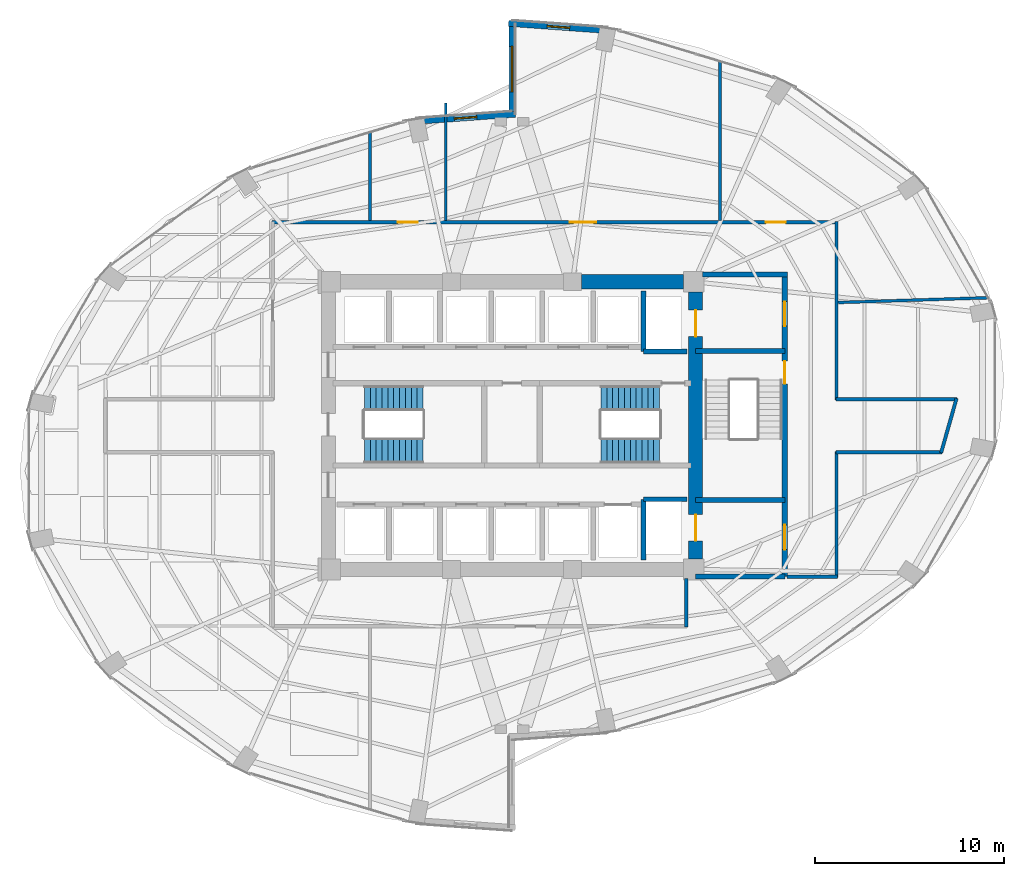
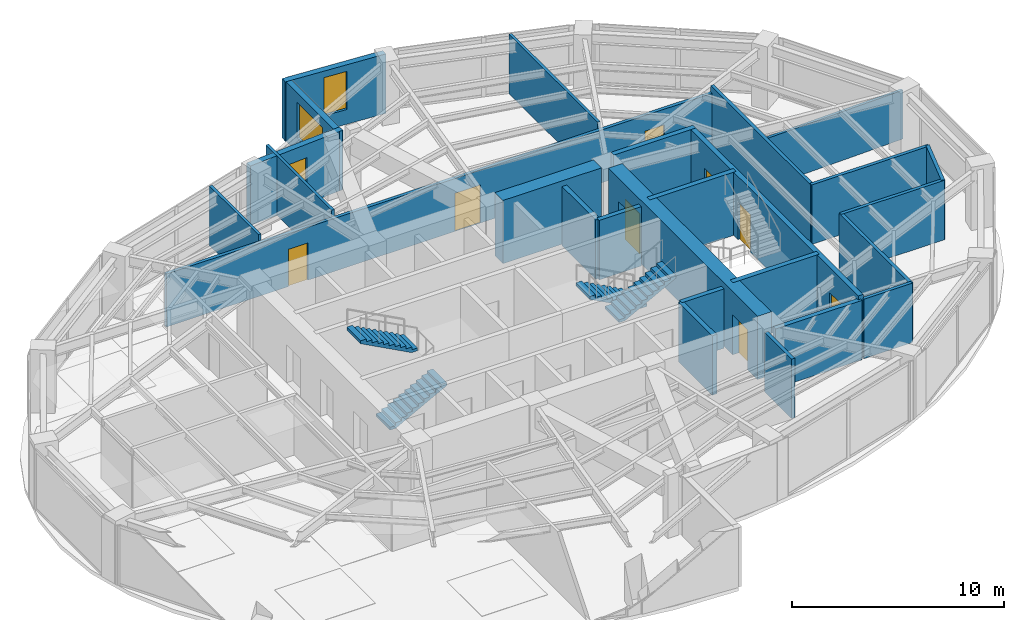
# One storey, part 20 of 23: 26 walls, 8 doors, 4 stair flights, 3 windows, 11 openings, 2 elements without a shape of their own.
"""IFC4 building model written with IfcOpenShell, lengths in metres."""

from ifc_helpers import new_model, si_unit, direction, frame, frame_2d, origin, place, context, subcontext, project, spatial, polyline, rectangle, outline, extrude, material, layer, layer_set, type_object, element, fill, aggregate, save


model = new_model("IFC4")

# Units and contexts
model_context = context("Model", 3, precision=1e-05, world=origin(), true_north=direction((0.0, 1.0)))
body_context = subcontext(model_context, "Body", "Model", "MODEL_VIEW")
ifc_project = project(units=[si_unit("LENGTHUNIT", "METRE"), si_unit("AREAUNIT", "SQUARE_METRE"), si_unit("VOLUMEUNIT", "CUBIC_METRE"), si_unit("PLANEANGLEUNIT", "RADIAN"), si_unit("MASSUNIT", "GRAM", prefix="KILO")], contexts=[model_context])

# Site, building, storey
site_placement = place(None, origin())
site = spatial("IfcSite", under=ifc_project, at=site_placement, CompositionType="ELEMENT")
building_placement = place(site_placement, origin())
building = spatial("IfcBuilding", under=site, at=building_placement, Name="Lazwardi Medical Tower", CompositionType="ELEMENT")
storey_placement = place(building_placement, frame((0.0, 0.0, 121.8720703125)))
storey = spatial("IfcBuildingStorey", under=building, at=storey_placement, Name="L31", CompositionType="ELEMENT", Elevation=121.8720703125)

# Wall, openings, doors
ifc_material_1 = material(Name="Fire-rated gypsum board on steel stud", Category="steel")
ifc_layer_1 = layer(ifc_material_1, 0.179931640625)
ifc_layer_set_1 = layer_set([ifc_layer_1], Name="Fire-rated gypsum board on steel stud")
wall_type_1 = type_object("IfcWallType", Name="WL-COR-180", PredefinedType="PARTITIONING", material=ifc_layer_set_1)
wall_1_placement = place(storey_placement, frame((23.31005859375, 38.75, 0.0), z_axis=(0.0, 0.0, 1.0), x_axis=(1.0, 0.0, 0.0)))
wall_1 = element("IfcWall", 1, at=wall_1_placement, inside=storey, type_object=wall_type_1, Name="L31 Corridor partition 4", PredefinedType="PARTITIONING", context=body_context, shape_type="SweptSolid", body=[
    extrude(rectangle(XDim=29.8798828125, YDim=0.179931640625, at=frame_2d((14.93994140625, 0.0))), origin(), (0.0, 0.0, 1.0), 3.052978515625),
])
opening_1_placement = place(wall_1_placement, frame((26.10107421875, 0.0, 0.0)))
opening_1 = element("IfcOpeningElement", 2, at=opening_1_placement, cuts=wall_1, Name="Opening D-L31-008", PredefinedType="OPENING", context=body_context, shape_type="SweptSolid", body=[
    extrude(rectangle(XDim=1.050048828125, YDim=2.14990234375, at=frame_2d((0.52490234375, 1.074951171875))), frame((0.0, 0.099853515625, 0.0), z_axis=(0.0, -1.0, 0.0), x_axis=(1.0, 0.0, 0.0)), (0.0, 0.0, 1.0), 0.199951171875),
])
opening_2_placement = place(wall_1_placement, frame((15.739990234375, 0.0, 0.0)))
opening_2 = element("IfcOpeningElement", 3, at=opening_2_placement, cuts=wall_1, Name="Opening D-L31-009", PredefinedType="OPENING", context=body_context, shape_type="SweptSolid", body=[
    extrude(rectangle(XDim=1.39990234375, YDim=2.199951171875, at=frame_2d((0.699951171875, 1.10009765625))), frame((0.0, 0.099853515625, 0.0), z_axis=(0.0, -1.0, 0.0), x_axis=(1.0, 0.0, 0.0)), (0.0, 0.0, 1.0), 0.199951171875),
])
opening_3_placement = place(wall_1_placement, frame((6.6650390625, 0.0, 0.0)))
opening_3 = element("IfcOpeningElement", 4, at=opening_3_placement, cuts=wall_1, Name="Opening D-L31-010", PredefinedType="OPENING", context=body_context, shape_type="SweptSolid", body=[
    extrude(rectangle(XDim=1.050048828125, YDim=2.14990234375, at=frame_2d((0.52490234375, 1.074951171875))), frame((0.0, 0.099853515625, 0.0), z_axis=(0.0, -1.0, 0.0), x_axis=(1.0, 0.0, 0.0)), (0.0, 0.0, 1.0), 0.199951171875),
])
ifc_material_2 = material(Name="Anti-microbial laminate hospital leaf")
door_type_1 = type_object("IfcDoorType", Name="DR-BED-1400", OperationType="NOTDEFINED", PredefinedType="DOOR", material=ifc_material_2)
door_1_placement = place(opening_2_placement, origin())
door_1 = element("IfcDoor", 5, at=door_1_placement, inside=storey, type_object=door_type_1, Name="L31 Patient Day Lounge Door 04", OperationType="SINGLE_SWING_RIGHT", OverallHeight=2.199951171875, OverallWidth=1.39990234375, PredefinedType="DOOR", context=body_context, shape_type="SweptSolid", body=[
    extrude(rectangle(XDim=1.39990234375, YDim=2.199951171875, at=frame_2d((0.699951171875, 1.10009765625))), frame((0.0, 0.02490234375, 0.0), z_axis=(0.0, -1.0, 0.0), x_axis=(1.0, 0.0, 0.0)), (0.0, 0.0, 1.0), 0.050048828125),
])
fill(opening_2, door_1)
door_type_2 = type_object("IfcDoorType", Name="DR-CLN-1050", OperationType="NOTDEFINED", PredefinedType="DOOR", material=ifc_material_2)
door_2_placement = place(opening_1_placement, origin())
door_2 = element("IfcDoor", 6, at=door_2_placement, inside=storey, type_object=door_type_2, Name="L31 Outpatient Consultation Suite Door 03", OperationType="SINGLE_SWING_LEFT", OverallHeight=2.14990234375, OverallWidth=1.050048828125, PredefinedType="DOOR", context=body_context, shape_type="SweptSolid", body=[
    extrude(rectangle(XDim=1.050048828125, YDim=2.14990234375, at=frame_2d((0.52490234375, 1.074951171875))), frame((0.0, 0.02490234375, 0.0), z_axis=(0.0, -1.0, 0.0), x_axis=(1.0, 0.0, 0.0)), (0.0, 0.0, 1.0), 0.050048828125),
])
fill(opening_1, door_2)
door_3_placement = place(opening_3_placement, origin())
door_3 = element("IfcDoor", 7, at=door_3_placement, inside=storey, type_object=door_type_2, Name="L31 Medical Duty Staff Room Door 05", OperationType="SINGLE_SWING_LEFT", OverallHeight=2.14990234375, OverallWidth=1.050048828125, PredefinedType="DOOR", context=body_context, shape_type="SweptSolid", body=[
    extrude(rectangle(XDim=1.050048828125, YDim=2.14990234375, at=frame_2d((0.52490234375, 1.074951171875))), frame((0.0, 0.02490234375, 0.0), z_axis=(0.0, -1.0, 0.0), x_axis=(1.0, 0.0, 0.0)), (0.0, 0.0, 1.0), 0.050048828125),
])
fill(opening_3, door_3)

# Walls
wall_2_placement = place(storey_placement, frame((53.14990234375, 38.7900390625, 0.0), z_axis=(0.0, 0.0, 1.0), x_axis=(0.0, -1.0, 0.0)))
element("IfcWall", 8, at=wall_2_placement, inside=storey, type_object=wall_type_1, Name="L31 Corridor partition 5", PredefinedType="PARTITIONING", context=body_context, shape_type="SweptSolid", body=[
    extrude(rectangle(XDim=9.429931640625, YDim=0.179931640625, at=frame_2d((4.71484375, 0.0))), origin(), (0.0, 0.0, 1.0), 3.427978515625),
])
wall_3_placement = place(storey_placement, frame((53.110107421875, 29.39990234375, 0.0), z_axis=(0.0, 0.0, 1.0), x_axis=(1.0, 0.0, 0.0)))
element("IfcWall", 9, at=wall_3_placement, inside=storey, type_object=wall_type_1, Name="L31 Corridor partition 6", PredefinedType="PARTITIONING", context=body_context, shape_type="SweptSolid", body=[
    extrude(rectangle(XDim=6.41259765625, YDim=0.179931640625, at=frame_2d((3.206298828125, 0.0))), origin(), (0.0, 0.0, 1.0), 3.427978515625),
])
wall_4_placement = place(storey_placement, frame((59.49365234375, 29.4384765625, 0.0), z_axis=(0.0, 0.0, 1.0), x_axis=(-0.273222154729, -0.961950962453, 0.0)))
element("IfcWall", 10, at=wall_4_placement, inside=storey, type_object=wall_type_1, Name="L31 Corridor partition 7", PredefinedType="PARTITIONING", context=body_context, shape_type="SweptSolid", body=[
    extrude(rectangle(XDim=2.99072265625, YDim=0.179931640625, at=frame_2d((1.495361328125, 0.0))), origin(), (0.0, 0.0, 1.0), 3.427978515625),
])
wall_5_placement = place(storey_placement, frame((58.727294921875, 26.60009765625, 0.0), z_axis=(0.0, 0.0, 1.0), x_axis=(-1.0, 0.0, 0.0)))
element("IfcWall", 11, at=wall_5_placement, inside=storey, type_object=wall_type_1, Name="L31 Corridor partition 8", PredefinedType="PARTITIONING", context=body_context, shape_type="SweptSolid", body=[
    extrude(rectangle(XDim=5.6171875, YDim=0.179931640625, at=frame_2d((2.80859375, 0.0))), origin(), (0.0, 0.0, 1.0), 3.427978515625),
])
wall_6_placement = place(storey_placement, frame((53.14990234375, 26.639892578125, 0.0), z_axis=(0.0, 0.0, 1.0), x_axis=(0.0, -1.0, 0.0)))
element("IfcWall", 12, at=wall_6_placement, inside=storey, type_object=wall_type_1, Name="L31 Corridor partition 9", PredefinedType="PARTITIONING", context=body_context, shape_type="SweptSolid", body=[
    extrude(rectangle(XDim=6.659912109375, YDim=0.179931640625, at=frame_2d((3.330078125, 0.0))), origin(), (0.0, 0.0, 1.0), 3.427978515625),
])
wall_7_placement = place(storey_placement, frame((53.18994140625, 20.02001953125, 0.0), z_axis=(0.0, 0.0, 1.0), x_axis=(-1.0, 0.0, 0.0)))
element("IfcWall", 13, at=wall_7_placement, inside=storey, type_object=wall_type_1, Name="L31 Corridor partition 10", PredefinedType="PARTITIONING", context=body_context, shape_type="SweptSolid", body=[
    extrude(rectangle(XDim=2.64990234375, YDim=0.179931640625, at=frame_2d((1.324951171875, 0.0))), origin(), (0.0, 0.0, 1.0), 3.427978515625),
])
wall_8_placement = place(storey_placement, frame((45.199951171875, 19.909912109375, 0.0), z_axis=(0.0, 0.0, 1.0), x_axis=(0.0, -1.0, 0.0)))
element("IfcWall", 14, at=wall_8_placement, inside=storey, type_object=wall_type_1, Name="L31 Corridor partition 13", PredefinedType="PARTITIONING", context=body_context, shape_type="SweptSolid", body=[
    extrude(rectangle(XDim=2.5498046875, YDim=0.179931640625, at=frame_2d((1.27490234375, 0.0))), origin(), (0.0, 0.0, 1.0), 3.427978515625),
])

# Wall, openings, doors
ifc_material_3 = material(Name="Concrete C70/85", Category="concrete")
ifc_layer_2 = layer(ifc_material_3, 0.75)
ifc_layer_set_2 = layer_set([ifc_layer_2], Name="Concrete C70/85")
wall_type_2 = type_object("IfcWallType", Name="WL-CORE-750", PredefinedType="SHEAR", material=ifc_layer_set_2)
wall_9_placement = place(storey_placement, frame((45.699951171875, 20.949951171875, 0.0), z_axis=(0.0, 0.0, 1.0), x_axis=(0.0, 1.0, 0.0)))
wall_9 = element("IfcWall", 15, at=wall_9_placement, inside=storey, type_object=wall_type_2, Name="Core wall CW-S2 east L31", PredefinedType="SHEAR", context=body_context, shape_type="SweptSolid", body=[
    extrude(rectangle(XDim=14.10009765625, YDim=0.75, at=frame_2d((7.050048828125, 0.0))), origin(), (0.0, 0.0, 1.0), 3.64794921875),
])
opening_4_placement = place(wall_9_placement, frame((11.75, 0.0, 0.0)))
opening_4 = element("IfcOpeningElement", 16, at=opening_4_placement, cuts=wall_9, Name="Opening LD-L31-001", PredefinedType="OPENING", context=body_context, shape_type="SweptSolid", body=[
    extrude(rectangle(XDim=1.39990234375, YDim=2.300048828125, at=frame_2d((0.699951171875, 1.14990234375))), frame((0.0, 0.385009765625, 0.0), z_axis=(0.0, -1.0, 0.0), x_axis=(1.0, 0.0, 0.0)), (0.0, 0.0, 1.0), 0.77001953125),
])
opening_5_placement = place(wall_9_placement, frame((0.949951171875, 0.0, 0.0)))
opening_5 = element("IfcOpeningElement", 17, at=opening_5_placement, cuts=wall_9, Name="Opening LD-L31-002", PredefinedType="OPENING", context=body_context, shape_type="SweptSolid", body=[
    extrude(rectangle(XDim=1.39990234375, YDim=2.300048828125, at=frame_2d((0.699951171875, 1.14990234375))), frame((0.0, 0.385009765625, 0.0), z_axis=(0.0, -1.0, 0.0), x_axis=(1.0, 0.0, 0.0)), (0.0, 0.0, 1.0), 0.77001953125),
])
ifc_material_4 = material(Name="Brushed stainless steel bed-lift landing door", Category="steel")
door_type_3 = type_object("IfcDoorType", Name="DR-LFT-1400", OperationType="NOTDEFINED", PredefinedType="DOOR", material=ifc_material_4)
door_4_placement = place(opening_4_placement, origin())
door_4 = element("IfcDoor", 18, at=door_4_placement, inside=storey, type_object=door_type_3, Name="L31 Lift Landing Door FL-01", OperationType="SLIDING_TO_LEFT", OverallHeight=2.300048828125, OverallWidth=1.39990234375, PredefinedType="DOOR", context=body_context, shape_type="SweptSolid", body=[
    extrude(rectangle(XDim=1.39990234375, YDim=2.300048828125, at=frame_2d((0.699951171875, 1.14990234375))), frame((0.0, 0.02490234375, 0.0), z_axis=(0.0, -1.0, 0.0), x_axis=(1.0, 0.0, 0.0)), (0.0, 0.0, 1.0), 0.050048828125),
])
fill(opening_4, door_4)
door_5_placement = place(opening_5_placement, origin())
door_5 = element("IfcDoor", 19, at=door_5_placement, inside=storey, type_object=door_type_3, Name="L31 Lift Landing Door FL-02", OperationType="SLIDING_TO_LEFT", OverallHeight=2.300048828125, OverallWidth=1.39990234375, PredefinedType="DOOR", context=body_context, shape_type="SweptSolid", body=[
    extrude(rectangle(XDim=1.39990234375, YDim=2.300048828125, at=frame_2d((0.699951171875, 1.14990234375))), frame((0.0, 0.02490234375, 0.0), z_axis=(0.0, -1.0, 0.0), x_axis=(1.0, 0.0, 0.0)), (0.0, 0.0, 1.0), 0.050048828125),
])
fill(opening_5, door_5)

# Wall
wall_10_placement = place(storey_placement, frame((39.675048828125, 35.60009765625, 0.0), z_axis=(0.0, 0.0, 1.0), x_axis=(1.0, 0.0, 0.0)))
element("IfcWall", 20, at=wall_10_placement, inside=storey, type_object=wall_type_2, Name="Core wall CW-S2 N3 L31", PredefinedType="SHEAR", context=body_context, shape_type="SweptSolid", body=[
    extrude(rectangle(XDim=5.375, YDim=0.75, at=frame_2d((2.6875, 0.0))), origin(), (0.0, 0.0, 1.0), 3.64794921875),
])

# Wall, opening, window
ifc_material_5 = material(Name="Precast concrete C45/55", Category="concrete")
ifc_layer_3 = layer(ifc_material_5, 0.320068359375)
ifc_layer_set_3 = layer_set([ifc_layer_3], Name="Precast concrete C45/55")
wall_type_3 = type_object("IfcWallType", Name="WL-IWAN-320", PredefinedType="SOLIDWALL", material=ifc_layer_set_3)
wall_11_placement = place(storey_placement, frame((41.091064453125, 48.87451171875, 0.0), z_axis=(0.0, 0.0, 1.0), x_axis=(-0.997432364291, 0.071614793619, 0.0)))
wall_11 = element("IfcWall", 21, at=wall_11_placement, inside=storey, type_object=wall_type_3, Name="L31 Iwan Portal Return Wall NE_ret", PredefinedType="SOLIDWALL", context=body_context, shape_type="SweptSolid", body=[
    extrude(rectangle(XDim=5.2841796875, YDim=0.320068359375, at=frame_2d((2.64208984375, 0.0))), origin(), (0.0, 0.0, 1.0), 3.427978515625),
])
opening_6_placement = place(wall_11_placement, frame((2.0419921875, 0.0, 0.85009765625)))
opening_6 = element("IfcOpeningElement", 22, at=opening_6_placement, cuts=wall_11, Name="Opening WN-01", PredefinedType="OPENING", context=body_context, shape_type="SweptSolid", body=[
    extrude(rectangle(XDim=1.199951171875, YDim=2.199951171875, at=frame_2d((0.60009765625, 1.10009765625))), frame((0.0, 0.169921875, 0.0), z_axis=(0.0, -1.0, 0.0), x_axis=(1.0, 0.0, 0.0)), (0.0, 0.0, 1.0), 0.340087890625),
])
ifc_material_6 = material(Name="Low-e bronze solar control double glazing", Category="glass")
window_type_1 = type_object("IfcWindowType", Name="WIN-IW-1200", PartitioningType="SINGLE_PANEL", PredefinedType="WINDOW", material=ifc_material_6)
window_1_placement = place(opening_6_placement, origin())
window_1 = element("IfcWindow", 23, at=window_1_placement, inside=storey, type_object=window_type_1, Name="L31 Iwan Slot Window NE_ret", OverallHeight=2.199951171875, OverallWidth=1.199951171875, PartitioningType="SINGLE_PANEL", PredefinedType="WINDOW", context=body_context, shape_type="SweptSolid", body=[
    extrude(rectangle(XDim=1.199951171875, YDim=2.199951171875, at=frame_2d((0.60009765625, 1.10009765625))), frame((0.0, 0.030029296875, 0.0), z_axis=(0.0, -1.0, 0.0), x_axis=(1.0, 0.0, 0.0)), (0.0, 0.0, 1.0), 0.06005859375),
])
fill(opening_6, window_1)

wall_12_placement = place(storey_placement, frame((36.178955078125, 44.452880859375, 0.0), z_axis=(0.0, 0.0, 1.0), x_axis=(-0.997431890304, -0.071621394884, 0.0)))
wall_12 = element("IfcWall", 24, at=wall_12_placement, inside=storey, type_object=wall_type_3, Name="L31 Iwan Portal Return Wall NW_ret", PredefinedType="SOLIDWALL", context=body_context, shape_type="SweptSolid", body=[
    extrude(rectangle(XDim=5.28369140625, YDim=0.320068359375, at=frame_2d((2.641845703125, 0.0))), origin(), (0.0, 0.0, 1.0), 3.427978515625),
])
opening_7_placement = place(wall_12_placement, frame((2.041748046875, 0.0, 0.85009765625)))
opening_7 = element("IfcOpeningElement", 25, at=opening_7_placement, cuts=wall_12, Name="Opening WN-04", PredefinedType="OPENING", context=body_context, shape_type="SweptSolid", body=[
    extrude(rectangle(XDim=1.199951171875, YDim=1.800048828125, at=frame_2d((0.60009765625, 0.89990234375))), frame((0.0, 0.169921875, 0.0), z_axis=(0.0, -1.0, 0.0), x_axis=(1.0, 0.0, 0.0)), (0.0, 0.0, 1.0), 0.340087890625),
])
window_type_2 = type_object("IfcWindowType", Name="WIN-DRUM-1200", PartitioningType="SINGLE_PANEL", PredefinedType="WINDOW", material=ifc_material_6)
window_2_placement = place(opening_7_placement, origin())
window_2 = element("IfcWindow", 26, at=window_2_placement, inside=storey, type_object=window_type_2, Name="L31 Iwan Slot Window NW_ret", OverallHeight=1.800048828125, OverallWidth=1.199951171875, PartitioningType="SINGLE_PANEL", PredefinedType="WINDOW", context=body_context, shape_type="SweptSolid", body=[
    extrude(rectangle(XDim=1.199951171875, YDim=1.800048828125, at=frame_2d((0.60009765625, 0.89990234375))), frame((0.0, 0.030029296875, 0.0), z_axis=(0.0, -1.0, 0.0), x_axis=(1.0, 0.0, 0.0)), (0.0, 0.0, 1.0), 0.06005859375),
])
fill(opening_7, window_2)

wall_13_placement = place(storey_placement, frame((36.0, 49.39990234375, 0.0), z_axis=(0.0, 0.0, 1.0), x_axis=(0.0, -1.0, 0.0)))
wall_13 = element("IfcWall", 27, at=wall_13_placement, inside=storey, type_object=wall_type_3, Name="L31 Turquoise Tilework Iwan Seam Wall N_seam", PredefinedType="SOLIDWALL", context=body_context, shape_type="SweptSolid", body=[
    extrude(rectangle(XDim=5.119873046875, YDim=0.320068359375, at=frame_2d((2.56005859375, 0.0))), origin(), (0.0, 0.0, 1.0), 3.427978515625),
])
opening_8_placement = place(wall_13_placement, frame((1.360107421875, 0.0, 0.840087890625)))
opening_8 = element("IfcOpeningElement", 28, at=opening_8_placement, cuts=wall_13, Name="Opening WN-02", PredefinedType="OPENING", context=body_context, shape_type="SweptSolid", body=[
    extrude(rectangle(XDim=2.39990234375, YDim=2.0400390625, at=frame_2d((1.199951171875, 1.02001953125))), frame((0.0, 0.169921875, 0.0), z_axis=(0.0, -1.0, 0.0), x_axis=(1.0, 0.0, 0.0)), (0.0, 0.0, 1.0), 0.340087890625),
])
window_type_3 = type_object("IfcWindowType", Name="WIN-IW-2400", PartitioningType="SINGLE_PANEL", PredefinedType="WINDOW", material=ifc_material_6)
window_3_placement = place(opening_8_placement, origin())
window_3 = element("IfcWindow", 29, at=window_3_placement, inside=storey, type_object=window_type_3, Name="L31 Iwan Seam Window N_seam", OverallHeight=2.0400390625, OverallWidth=2.39990234375, PartitioningType="SINGLE_PANEL", PredefinedType="WINDOW", context=body_context, shape_type="SweptSolid", body=[
    extrude(rectangle(XDim=2.39990234375, YDim=2.0400390625, at=frame_2d((1.199951171875, 1.02001953125))), frame((0.0, 0.030029296875, 0.0), z_axis=(0.0, -1.0, 0.0), x_axis=(1.0, 0.0, 0.0)), (0.0, 0.0, 1.0), 0.06005859375),
])
fill(opening_8, window_3)

# Walls
ifc_material_7 = material(Name="Autoclaved aerated concrete blockwork", Category="masonry")
ifc_layer_4 = layer(ifc_material_7, 0.25)
ifc_layer_set_4 = layer_set([ifc_layer_4], Name="Autoclaved aerated concrete blockwork")
wall_type_4 = type_object("IfcWallType", Name="WL-SHAFT-250", PredefinedType="SOLIDWALL", material=ifc_layer_set_4)
wall_14_placement = place(storey_placement, frame((42.949951171875, 31.919921875, 0.0), z_axis=(0.0, 0.0, 1.0), x_axis=(0.0, 1.0, 0.0)))
element("IfcWall", 30, at=wall_14_placement, inside=storey, type_object=wall_type_4, Name="L31 FL-01 West shaft wall", PredefinedType="SOLIDWALL", context=body_context, shape_type="SweptSolid", body=[
    extrude(rectangle(XDim=3.18017578125, YDim=0.25, at=frame_2d((1.590087890625, 0.0))), origin(), (0.0, 0.0, 1.0), 3.427978515625),
])
wall_15_placement = place(storey_placement, frame((42.949951171875, 31.919921875, 0.0), z_axis=(0.0, 0.0, 1.0), x_axis=(1.0, 0.0, 0.0)))
element("IfcWall", 31, at=wall_15_placement, inside=storey, type_object=wall_type_4, Name="L31 FL-01 South shaft wall", PredefinedType="SOLIDWALL", context=body_context, shape_type="SweptSolid", body=[
    extrude(rectangle(XDim=2.300048828125, YDim=0.25, at=frame_2d((1.14990234375, 0.0))), origin(), (0.0, 0.0, 1.0), 3.427978515625),
])
wall_16_placement = place(storey_placement, frame((42.949951171875, 20.89990234375, 0.0), z_axis=(0.0, 0.0, 1.0), x_axis=(0.0, 1.0, 0.0)))
element("IfcWall", 32, at=wall_16_placement, inside=storey, type_object=wall_type_4, Name="L31 FL-02 West shaft wall", PredefinedType="SOLIDWALL", context=body_context, shape_type="SweptSolid", body=[
    extrude(rectangle(XDim=3.2001953125, YDim=0.25, at=frame_2d((1.60009765625, 0.0))), origin(), (0.0, 0.0, 1.0), 3.427978515625),
])
wall_17_placement = place(storey_placement, frame((42.949951171875, 24.10009765625, 0.0), z_axis=(0.0, 0.0, 1.0), x_axis=(1.0, 0.0, 0.0)))
element("IfcWall", 33, at=wall_17_placement, inside=storey, type_object=wall_type_4, Name="L31 FL-02 North shaft wall", PredefinedType="SOLIDWALL", context=body_context, shape_type="SweptSolid", body=[
    extrude(rectangle(XDim=2.300048828125, YDim=0.25, at=frame_2d((1.14990234375, 0.0))), origin(), (0.0, 0.0, 1.0), 3.427978515625),
])
wall_18_placement = place(storey_placement, frame((45.699951171875, 20.02001953125, 0.0), z_axis=(0.0, 0.0, 1.0), x_axis=(1.0, 0.0, 0.0)))
element("IfcWall", 34, at=wall_18_placement, inside=storey, type_object=wall_type_4, Name="L31 FFL-S South wall", PredefinedType="SOLIDWALL", context=body_context, shape_type="SweptSolid", body=[
    extrude(rectangle(XDim=4.715087890625, YDim=0.25, at=frame_2d((2.357421875, 0.0))), origin(), (0.0, 0.0, 1.0), 3.427978515625),
])

# Wall, openings, doors
ifc_material_8 = material(Name="Concrete C50/60", Category="concrete")
ifc_layer_5 = layer(ifc_material_8, 0.27001953125)
ifc_layer_set_5 = layer_set([ifc_layer_5], Name="Concrete C50/60")
wall_type_5 = type_object("IfcWallType", Name="WL-STR-250", PredefinedType="SHEAR", material=ifc_layer_set_5)
wall_19_placement = place(storey_placement, frame((50.4150390625, 35.844970703125, 0.0), z_axis=(0.0, 0.0, 1.0), x_axis=(0.0, -1.0, 0.0)))
wall_19 = element("IfcWall", 35, at=wall_19_placement, inside=storey, type_object=wall_type_5, Name="L31 East ST3 & FFL shear wall SW-S1", PredefinedType="SHEAR", context=body_context, shape_type="SweptSolid", body=[
    extrude(rectangle(XDim=15.824951171875, YDim=0.27001953125, at=frame_2d((7.91259765625, 0.0))), origin(), (0.0, 0.0, 1.0), 3.64794921875),
])
opening_9_placement = place(wall_19_placement, frame((4.445068359375, 0.0, 0.0)))
opening_9 = element("IfcOpeningElement", 36, at=opening_9_placement, cuts=wall_19, Name="Opening D-L31-013", PredefinedType="OPENING", context=body_context, shape_type="SweptSolid", body=[
    extrude(rectangle(XDim=1.199951171875, YDim=2.14990234375, at=frame_2d((0.60009765625, 1.074951171875))), frame((0.0, 0.14501953125, 0.0), z_axis=(0.0, -1.0, 0.0), x_axis=(1.0, 0.0, 0.0)), (0.0, 0.0, 1.0), 0.2900390625),
])
opening_10_placement = place(wall_19_placement, frame((1.294921875, 0.0, 0.0)))
opening_10 = element("IfcOpeningElement", 37, at=opening_10_placement, cuts=wall_19, Name="Opening D-L31-002", PredefinedType="OPENING", context=body_context, shape_type="SweptSolid", body=[
    extrude(rectangle(XDim=1.300048828125, YDim=2.199951171875, at=frame_2d((0.64990234375, 1.10009765625))), frame((0.0, 0.14501953125, 0.0), z_axis=(0.0, -1.0, 0.0), x_axis=(1.0, 0.0, 0.0)), (0.0, 0.0, 1.0), 0.2900390625),
])
opening_11_placement = place(wall_19_placement, frame((13.094970703125, 0.0, 0.0)))
opening_11 = element("IfcOpeningElement", 38, at=opening_11_placement, cuts=wall_19, Name="Opening D-L31-003", PredefinedType="OPENING", context=body_context, shape_type="SweptSolid", body=[
    extrude(rectangle(XDim=1.300048828125, YDim=2.199951171875, at=frame_2d((0.64990234375, 1.10009765625))), frame((0.0, 0.14501953125, 0.0), z_axis=(0.0, -1.0, 0.0), x_axis=(1.0, 0.0, 0.0)), (0.0, 0.0, 1.0), 0.2900390625),
])
ifc_material_9 = material(Name="Fire-rated steel leaf and frame", Category="steel")
door_type_4 = type_object("IfcDoorType", Name="DR-FFL-1300", OperationType="NOTDEFINED", PredefinedType="DOOR", material=ifc_material_9)
door_6_placement = place(opening_10_placement, origin())
door_6 = element("IfcDoor", 39, at=door_6_placement, inside=storey, type_object=door_type_4, Name="L31 Fire-Fighting Lobby North Door", OperationType="SINGLE_SWING_LEFT", OverallHeight=2.199951171875, OverallWidth=1.300048828125, PredefinedType="DOOR", context=body_context, shape_type="SweptSolid", body=[
    extrude(rectangle(XDim=1.300048828125, YDim=2.199951171875, at=frame_2d((0.64990234375, 1.10009765625))), frame((0.0, 0.02490234375, 0.0), z_axis=(0.0, -1.0, 0.0), x_axis=(1.0, 0.0, 0.0)), (0.0, 0.0, 1.0), 0.050048828125),
])
fill(opening_10, door_6)
door_7_placement = place(opening_11_placement, origin())
door_7 = element("IfcDoor", 40, at=door_7_placement, inside=storey, type_object=door_type_4, Name="L31 Fire-Fighting Lobby South Door", OperationType="SINGLE_SWING_RIGHT", OverallHeight=2.199951171875, OverallWidth=1.300048828125, PredefinedType="DOOR", context=body_context, shape_type="SweptSolid", body=[
    extrude(rectangle(XDim=1.300048828125, YDim=2.199951171875, at=frame_2d((0.64990234375, 1.10009765625))), frame((0.0, 0.02490234375, 0.0), z_axis=(0.0, -1.0, 0.0), x_axis=(1.0, 0.0, 0.0)), (0.0, 0.0, 1.0), 0.050048828125),
])
fill(opening_11, door_7)
door_type_5 = type_object("IfcDoorType", Name="DR-STR-1200", OperationType="NOTDEFINED", PredefinedType="DOOR", material=ifc_material_9)
door_8_placement = place(opening_9_placement, origin())
door_8 = element("IfcDoor", 41, at=door_8_placement, inside=storey, type_object=door_type_5, Name="L31 Exit Stair ST3 Door", OperationType="SINGLE_SWING_RIGHT", OverallHeight=2.14990234375, OverallWidth=1.199951171875, PredefinedType="DOOR", context=body_context, shape_type="SweptSolid", body=[
    extrude(rectangle(XDim=1.199951171875, YDim=2.14990234375, at=frame_2d((0.60009765625, 1.074951171875))), frame((0.0, 0.02490234375, 0.0), z_axis=(0.0, -1.0, 0.0), x_axis=(1.0, 0.0, 0.0)), (0.0, 0.0, 1.0), 0.050048828125),
])
fill(opening_9, door_8)

# Walls
wall_20_placement = place(storey_placement, frame((46.074951171875, 35.97998046875, 0.0), z_axis=(0.0, 0.0, 1.0), x_axis=(1.0, 0.0, 0.0)))
element("IfcWall", 42, at=wall_20_placement, inside=storey, type_object=wall_type_5, Name="L31 FFL-N North shear wall SW-S1", PredefinedType="SHEAR", context=body_context, shape_type="SweptSolid", body=[
    extrude(rectangle(XDim=4.47509765625, YDim=0.27001953125, at=frame_2d((2.237548828125, 0.0))), origin(), (0.0, 0.0, 1.0), 3.64794921875),
])
for number, where, z_axis, x_axis, name in (
    (43, (45.699951171875, 31.93505859375, 0.0), (0.0, 0.0, 1.0), (1.0, 0.0, 0.0), "L31 ST3 North shear shaft wall SW-S1"),
    (44, (45.699951171875, 24.06494140625, 0.0), (0.0, 0.0, 1.0), (1.0, 0.0, 0.0), "L31 ST3 South shear shaft wall SW-S1"),
):
    element("IfcWall", number, at=place(storey_placement, frame(where, z_axis=z_axis, x_axis=x_axis)), inside=storey, type_object=wall_type_5, Name=name, PredefinedType="SHEAR", context=body_context, shape_type="SweptSolid", body=[
        extrude(rectangle(XDim=4.715087890625, YDim=0.27001953125, at=frame_2d((2.357421875, 0.0))), origin(), (0.0, 0.0, 1.0), 3.64794921875),
    ])
ifc_material_10 = material(Name="Acoustic gypsum board partition")
ifc_layer_6 = layer(ifc_material_10, 0.14990234375)
ifc_layer_set_6 = layer_set([ifc_layer_6], Name="Acoustic gypsum board partition")
wall_type_6 = type_object("IfcWallType", Name="WL-WRD-150", PredefinedType="PARTITIONING", material=ifc_layer_set_6)
wall_21_placement = place(storey_placement, frame((53.239990234375, 34.50244140625, 0.0), z_axis=(0.0, 0.0, 1.0), x_axis=(0.999499445349, 0.031636351679, 0.0)))
element("IfcWall", 45, at=wall_21_placement, inside=storey, type_object=wall_type_6, Name="L31 Room partition 1", PredefinedType="PARTITIONING", context=body_context, shape_type="SweptSolid", body=[
    extrude(rectangle(XDim=7.93310546875, YDim=0.14990234375, at=frame_2d((3.966552734375, 0.0))), origin(), (0.0, 0.0, 1.0), 2.81298828125),
])
wall_22_placement = place(storey_placement, frame((28.5, 38.840087890625, 0.0), z_axis=(0.0, 0.0, 1.0), x_axis=(0.0, 1.0, 0.0)))
element("IfcWall", 46, at=wall_22_placement, inside=storey, type_object=wall_type_6, Name="L31 Room partition 2", PredefinedType="PARTITIONING", context=body_context, shape_type="SweptSolid", body=[
    extrude(rectangle(XDim=4.64501953125, YDim=0.14990234375, at=frame_2d((2.322509765625, 0.0))), origin(), (0.0, 0.0, 1.0), 3.427978515625),
])
wall_23_placement = place(storey_placement, frame((32.5, 38.840087890625, 0.0), z_axis=(0.0, 0.0, 1.0), x_axis=(0.0, 1.0, 0.0)))
element("IfcWall", 47, at=wall_23_placement, inside=storey, type_object=wall_type_6, Name="L31 Room partition 3", PredefinedType="PARTITIONING", context=body_context, shape_type="SweptSolid", body=[
    extrude(rectangle(XDim=6.213623046875, YDim=0.14990234375, at=frame_2d((3.10693359375, 0.0))), origin(), (0.0, 0.0, 1.0), 3.427978515625),
])
wall_24_placement = place(storey_placement, frame((47.0, 38.840087890625, 0.0), z_axis=(0.0, 0.0, 1.0), x_axis=(0.0, 1.0, 0.0)))
element("IfcWall", 48, at=wall_24_placement, inside=storey, type_object=wall_type_6, Name="L31 Room partition 4", PredefinedType="PARTITIONING", context=body_context, shape_type="SweptSolid", body=[
    extrude(rectangle(XDim=8.38671875, YDim=0.14990234375, at=frame_2d((4.193359375, 0.0))), origin(), (0.0, 0.0, 1.0), 3.427978515625),
])

# Stair, stair flights
ifc_material_11 = material(Name="Concrete C45/55", Category="concrete")
stair_type = type_object("IfcStairType", Name="STR-WRD", PredefinedType="HALF_TURN_STAIR", material=ifc_material_11)
stair_1_placement = place(storey_placement, origin())
stair_1 = element("IfcStair", 49, at=stair_1_placement, inside=storey, type_object=stair_type, Name="L31 Protected Exit Stair ST1", PredefinedType="HALF_TURN_STAIR")
stair_flight_type = type_object("IfcStairFlightType", Name="FLT-WRD", PredefinedType="STRAIGHT", material=ifc_material_11)
stair_flight_1_placement = place(storey_placement, frame((28.199951171875, 26.679931640625, 0.0), z_axis=(0.0, 0.0, 1.0), x_axis=(1.0, 0.0, 0.0)))
stair_flight_1 = element("IfcStairFlight", 50, at=stair_flight_1_placement, type_object=stair_flight_type, Name="ST1 flight 1", NumberOfRisers=11, NumberOfTreads=10, PredefinedType="STRAIGHT", RiserHeight=0.165818182, TreadLength=0.31, context=body_context, shape_type="SweptSolid", body=[
    extrude(outline(polyline([(0.0, 0.0), (0.0, 0.165771484375), (0.31005859375, 0.165771484375), (0.31005859375, 0.33154296875), (0.6201171875, 0.33154296875), (0.6201171875, 0.49755859375), (0.929931640625, 0.49755859375), (0.929931640625, 0.663330078125), (1.239990234375, 0.663330078125), (1.239990234375, 0.8291015625), (1.550048828125, 0.8291015625), (1.550048828125, 0.994873046875), (1.860107421875, 0.994873046875), (1.860107421875, 1.16064453125), (2.169921875, 1.16064453125), (2.169921875, 1.32666015625), (2.47998046875, 1.32666015625), (2.47998046875, 1.492431640625), (2.7900390625, 1.492431640625), (2.7900390625, 1.658203125), (3.10009765625, 1.658203125), (3.10009765625, 1.823974609375), (3.10009765625, 1.48828125), (0.31787109375, 0.0), (0.0, 0.0)])), frame((0.0, 0.66015625, 0.0), z_axis=(0.0, -1.0, 0.0), x_axis=(1.0, 0.0, 0.0)), (0.0, 0.0, 1.0), 1.320068359375),
])
stair_flight_2_placement = place(storey_placement, frame((31.300048828125, 29.43994140625, 1.823974609375), z_axis=(0.0, 0.0, 1.0), x_axis=(-1.0, 0.0, 0.0)))
stair_flight_2 = element("IfcStairFlight", 51, at=stair_flight_2_placement, type_object=stair_flight_type, Name="ST1 flight 2", NumberOfRisers=11, NumberOfTreads=10, PredefinedType="STRAIGHT", RiserHeight=0.165818182, TreadLength=0.31, context=body_context, shape_type="SweptSolid", body=[
    extrude(outline(polyline([(0.0, 0.0), (0.0, 0.165771484375), (0.31005859375, 0.165771484375), (0.31005859375, 0.33154296875), (0.6201171875, 0.33154296875), (0.6201171875, 0.49755859375), (0.929931640625, 0.49755859375), (0.929931640625, 0.663330078125), (1.239990234375, 0.663330078125), (1.239990234375, 0.8291015625), (1.550048828125, 0.8291015625), (1.550048828125, 0.994873046875), (1.860107421875, 0.994873046875), (1.860107421875, 1.16064453125), (2.169921875, 1.16064453125), (2.169921875, 1.32666015625), (2.47998046875, 1.32666015625), (2.47998046875, 1.492431640625), (2.7900390625, 1.492431640625), (2.7900390625, 1.658203125), (3.10009765625, 1.658203125), (3.10009765625, 1.823974609375), (3.10009765625, 1.48828125), (0.31787109375, 0.0), (0.0, 0.0)])), frame((0.0, 0.66015625, 0.0), z_axis=(0.0, -1.0, 0.0), x_axis=(1.0, 0.0, 0.0)), (0.0, 0.0, 1.0), 1.320068359375),
])
aggregate(stair_1, [stair_flight_1, stair_flight_2])

stair_2_placement = place(storey_placement, origin())
stair_2 = element("IfcStair", 52, at=stair_2_placement, inside=storey, type_object=stair_type, Name="L31 Protected Exit Stair ST2", PredefinedType="HALF_TURN_STAIR")
stair_flight_3_placement = place(storey_placement, frame((43.800048828125, 29.43994140625, 0.0), z_axis=(0.0, 0.0, 1.0), x_axis=(-1.0, 0.0, 0.0)))
stair_flight_3 = element("IfcStairFlight", 53, at=stair_flight_3_placement, type_object=stair_flight_type, Name="ST2 flight 1", NumberOfRisers=11, NumberOfTreads=10, PredefinedType="STRAIGHT", RiserHeight=0.165818182, TreadLength=0.31, context=body_context, shape_type="SweptSolid", body=[
    extrude(outline(polyline([(0.0, 0.0), (0.0, 0.165771484375), (0.31005859375, 0.165771484375), (0.31005859375, 0.33154296875), (0.6201171875, 0.33154296875), (0.6201171875, 0.49755859375), (0.929931640625, 0.49755859375), (0.929931640625, 0.663330078125), (1.239990234375, 0.663330078125), (1.239990234375, 0.8291015625), (1.550048828125, 0.8291015625), (1.550048828125, 0.994873046875), (1.860107421875, 0.994873046875), (1.860107421875, 1.16064453125), (2.169921875, 1.16064453125), (2.169921875, 1.32666015625), (2.47998046875, 1.32666015625), (2.47998046875, 1.492431640625), (2.7900390625, 1.492431640625), (2.7900390625, 1.658203125), (3.10009765625, 1.658203125), (3.10009765625, 1.823974609375), (3.10009765625, 1.48828125), (0.31787109375, 0.0), (0.0, 0.0)])), frame((0.0, 0.66015625, 0.0), z_axis=(0.0, -1.0, 0.0), x_axis=(1.0, 0.0, 0.0)), (0.0, 0.0, 1.0), 1.320068359375),
])
stair_flight_4_placement = place(storey_placement, frame((40.699951171875, 26.679931640625, 1.823974609375), z_axis=(0.0, 0.0, 1.0), x_axis=(1.0, 0.0, 0.0)))
stair_flight_4 = element("IfcStairFlight", 54, at=stair_flight_4_placement, type_object=stair_flight_type, Name="ST2 flight 2", NumberOfRisers=11, NumberOfTreads=10, PredefinedType="STRAIGHT", RiserHeight=0.165818182, TreadLength=0.31, context=body_context, shape_type="SweptSolid", body=[
    extrude(outline(polyline([(0.0, 0.0), (0.0, 0.165771484375), (0.31005859375, 0.165771484375), (0.31005859375, 0.33154296875), (0.6201171875, 0.33154296875), (0.6201171875, 0.49755859375), (0.929931640625, 0.49755859375), (0.929931640625, 0.663330078125), (1.239990234375, 0.663330078125), (1.239990234375, 0.8291015625), (1.550048828125, 0.8291015625), (1.550048828125, 0.994873046875), (1.860107421875, 0.994873046875), (1.860107421875, 1.16064453125), (2.169921875, 1.16064453125), (2.169921875, 1.32666015625), (2.47998046875, 1.32666015625), (2.47998046875, 1.492431640625), (2.7900390625, 1.492431640625), (2.7900390625, 1.658203125), (3.10009765625, 1.658203125), (3.10009765625, 1.823974609375), (3.10009765625, 1.48828125), (0.31787109375, 0.0), (0.0, 0.0)])), frame((0.0, 0.66015625, 0.0), z_axis=(0.0, -1.0, 0.0), x_axis=(1.0, 0.0, 0.0)), (0.0, 0.0, 1.0), 1.320068359375),
])
aggregate(stair_2, [stair_flight_3, stair_flight_4])

save(model, "model.ifc")
